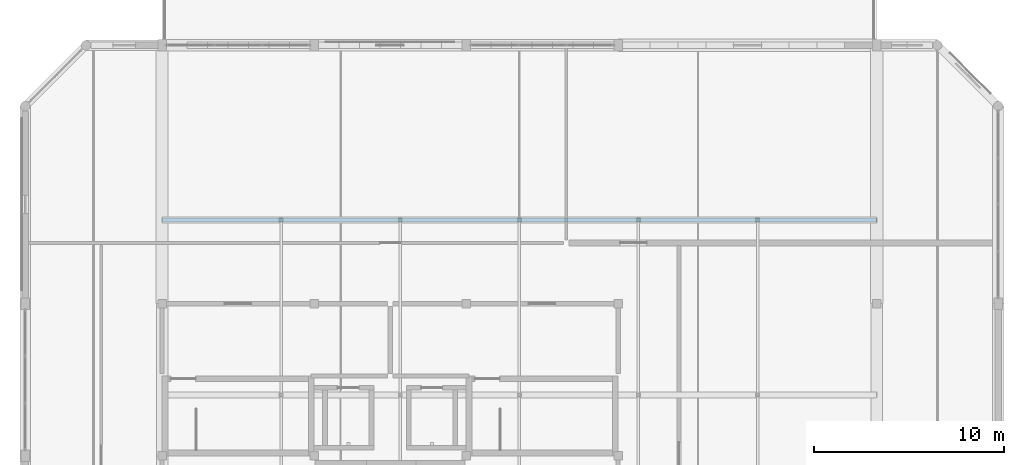
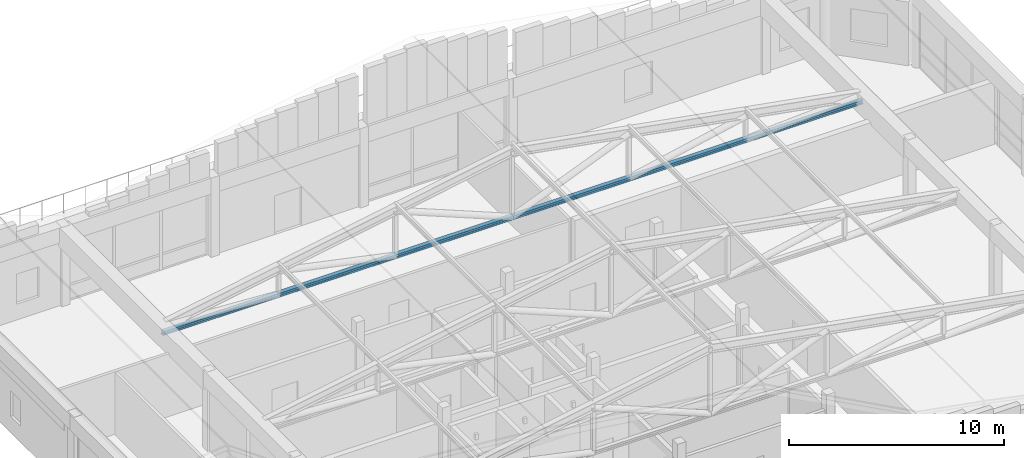
# One storey, part 10 of 24: 1 member.
"""IFC4 building model written with IfcOpenShell, lengths in metres."""

from ifc_helpers import new_model, si_unit, direction, frame, origin, origin_2d, place, context, subcontext, project, spatial, i_section, extrude, material, material_profile, profile_set, type_object, element, save


model = new_model("IFC4")

# Units and contexts
model_context = context("Model", 3, precision=1e-05, world=origin(), true_north=direction((0.0, 1.0)))
body_context = subcontext(model_context, "Body", "Model", "MODEL_VIEW")
ifc_project = project(units=[si_unit("LENGTHUNIT", "METRE"), si_unit("AREAUNIT", "SQUARE_METRE"), si_unit("VOLUMEUNIT", "CUBIC_METRE"), si_unit("PLANEANGLEUNIT", "RADIAN"), si_unit("MASSUNIT", "GRAM", prefix="KILO")], contexts=[model_context])

# Site, building, storey
site_placement = place(None, origin())
site = spatial("IfcSite", under=ifc_project, at=site_placement, CompositionType="ELEMENT")
building_placement = place(site_placement, origin())
building = spatial("IfcBuilding", under=site, at=building_placement, Name="Vellmiral Cinema and Media Centre", CompositionType="ELEMENT")
storey_placement = place(building_placement, frame((0.0, 0.0, 66.60009765625)))
storey = spatial("IfcBuildingStorey", under=building, at=storey_placement, Name="L16", CompositionType="ELEMENT", Elevation=66.60009765625)

# Member
ifc_material = material(Name="Steel S355", Category="steel")
ifc_material_profile = material_profile(ifc_material, i_section(OverallWidth=0.219970703125, OverallDepth=0.219970703125, WebThickness=0.009521484375, FlangeThickness=0.01611328125, FilletRadius=0.01806640625, at=origin_2d()), Name="HEB 220")
ifc_profile_set = profile_set([ifc_material_profile], Name="Steel S355")
member_type = type_object("IfcMemberType", Name="TCH-HEB220", PredefinedType="CHORD", material=ifc_profile_set)
member_placement = place(storey_placement, frame((124.0, 99.60009765625, 3.849853515625), z_axis=(1.0, 0.0, 0.0), x_axis=(0.0, 1.0, 0.0)))
element("IfcMember", 1, at=member_placement, inside=storey, type_object=member_type, Name="Roof Truss TR-10.3 Bottom Chord", PredefinedType="CHORD", context=body_context, shape_type="SweptSolid", body=[
    extrude(i_section(OverallWidth=0.219970703125, OverallDepth=0.219970703125, WebThickness=0.009521484375, FlangeThickness=0.01611328125, FilletRadius=0.01806640625, at=origin_2d()), origin(), (0.0, 0.0, 1.0), 37.60009765625),
])

save(model, "model.ifc")
